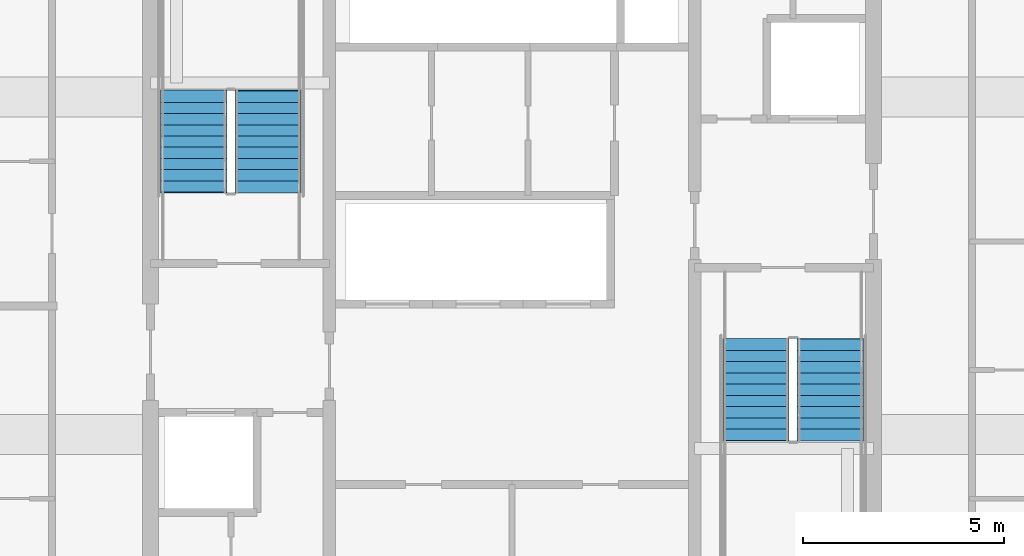
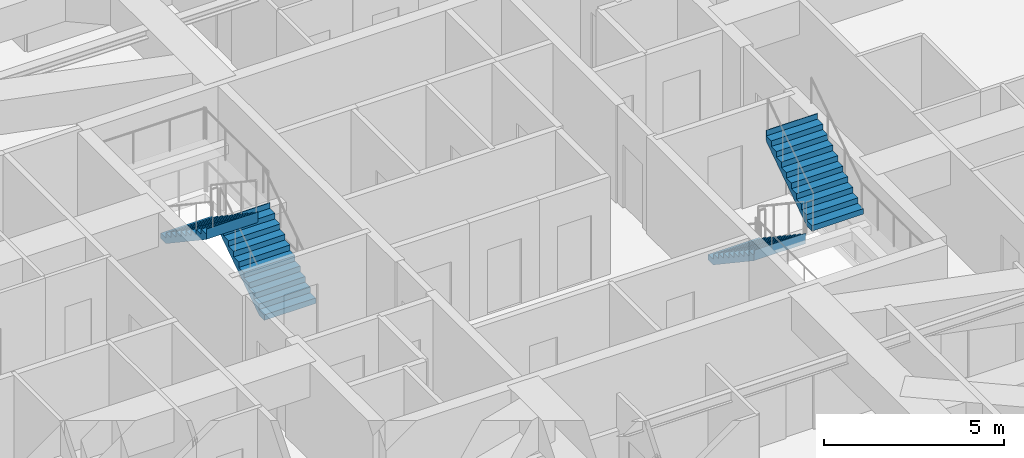
# One storey, part 28 of 32: 4 stair flights, 2 elements without a shape of their own.
"""IFC4 building model written with IfcOpenShell, lengths in metres."""

from ifc_helpers import new_model, si_unit, direction, frame, origin, place, context, subcontext, project, spatial, polygons, material, type_object, element, aggregate, save


model = new_model("IFC4")

# Units and contexts
model_context = context("Model", 3, precision=1e-05, world=origin(), true_north=direction((0.0, 1.0)))
body_context = subcontext(model_context, "Body", "Model", "MODEL_VIEW")
ifc_project = project(units=[si_unit("LENGTHUNIT", "METRE"), si_unit("AREAUNIT", "SQUARE_METRE"), si_unit("VOLUMEUNIT", "CUBIC_METRE"), si_unit("PLANEANGLEUNIT", "RADIAN"), si_unit("MASSUNIT", "GRAM", prefix="KILO")], contexts=[model_context])

# Site, building, storey
site_placement = place(None, origin())
site = spatial("IfcSite", under=ifc_project, at=site_placement, CompositionType="ELEMENT")
building_placement = place(site_placement, origin())
building = spatial("IfcBuilding", under=site, at=building_placement, Name="Serunith Strait Residences", CompositionType="ELEMENT")
storey_placement = place(building_placement, frame((0.0, 0.0, 195.14990234375)))
storey = spatial("IfcBuildingStorey", under=building, at=storey_placement, Name="L49", CompositionType="ELEMENT", Elevation=195.14990234375)

# Stair, stair flights
ifc_material = material(Name="Concrete C50/60", Category="concrete")
stair_type_1 = type_object("IfcStairType", Name="STR-CORE-1", PredefinedType="HALF_TURN_STAIR", material=ifc_material)
stair_1_placement = place(storey_placement, origin())
stair_1 = element("IfcStair", 1, at=stair_1_placement, inside=storey, type_object=stair_type_1, Name="L49 Protected Escape Stair ST-1", PredefinedType="HALF_TURN_STAIR")
stair_flight_type_1 = type_object("IfcStairFlightType", Name="FLT-CORE-1", PredefinedType="STRAIGHT", material=ifc_material)
stair_flight_1_placement = place(storey_placement, frame((26.324951171875, 27.030029296875, 0.0), z_axis=(0.0, 0.0, 1.0), x_axis=(0.0, 1.0, 0.0)))
stair_flight_1 = element("IfcStairFlight", 2, at=stair_flight_1_placement, type_object=stair_flight_type_1, Name="ST-1 flight 1", NumberOfRisers=10, NumberOfTreads=9, PredefinedType="STRAIGHT", RiserHeight=0.1875, TreadLength=0.28, context=body_context, shape_type="Tessellation", body=[
    polygons([(-0.02001953125, -0.824951171875, 0.0), (-0.02001953125, -0.824951171875, 0.1875), (0.280029296875, -0.824951171875, 0.1875), (0.280029296875, -0.824951171875, 0.375), (0.56005859375, -0.824951171875, 0.375), (0.56005859375, -0.824951171875, 0.5625), (0.840087890625, -0.824951171875, 0.5625), (0.840087890625, -0.824951171875, 0.75), (1.1201171875, -0.824951171875, 0.75), (1.1201171875, -0.824951171875, 0.9375), (1.39990234375, -0.824951171875, 0.9375), (1.39990234375, -0.824951171875, 1.125), (1.679931640625, -0.824951171875, 1.125), (1.679931640625, -0.824951171875, 1.3125), (1.9599609375, -0.824951171875, 1.3125), (1.9599609375, -0.824951171875, 1.5), (2.239990234375, -0.824951171875, 1.5), (2.239990234375, -0.824951171875, 1.6875), (2.52001953125, -0.824951171875, 1.6875), (2.52001953125, -0.824951171875, 1.875), (2.5400390625, -0.824951171875, 1.875), (2.5400390625, -0.824951171875, 1.81494140625), (2.52001953125, -0.824951171875, 1.507080078125), (0.26953125, -0.824951171875, 0.0), (-0.02001953125, -0.41259765625, 0.0), (-0.02001953125, -0.41259765625, 0.1875), (0.280029296875, -0.41259765625, 0.1875), (0.280029296875, -0.41259765625, 0.375), (0.56005859375, -0.41259765625, 0.375), (0.56005859375, -0.41259765625, 0.5625), (0.840087890625, -0.41259765625, 0.5625), (0.840087890625, -0.41259765625, 0.75), (1.1201171875, -0.41259765625, 0.75), (1.1201171875, -0.41259765625, 0.9375), (1.39990234375, -0.41259765625, 0.9375), (1.39990234375, -0.41259765625, 1.125), (1.679931640625, -0.41259765625, 1.125), (1.679931640625, -0.41259765625, 1.3125), (1.9599609375, -0.41259765625, 1.3125), (1.9599609375, -0.41259765625, 1.5), (2.239990234375, -0.41259765625, 1.5), (2.239990234375, -0.41259765625, 1.6875), (2.52001953125, -0.41259765625, 1.6875), (2.52001953125, -0.41259765625, 1.875), (2.5400390625, -0.41259765625, 1.875), (2.5400390625, -0.41259765625, 1.81494140625), (2.52001953125, -0.41259765625, 1.507080078125), (0.26953125, -0.41259765625, 0.0), (-0.02001953125, 0.0, 0.0), (-0.02001953125, 0.0, 0.1875), (0.280029296875, 0.0, 0.1875), (0.280029296875, 0.0, 0.375), (0.56005859375, 0.0, 0.375), (0.56005859375, 0.0, 0.5625), (0.840087890625, 0.0, 0.5625), (0.840087890625, 0.0, 0.75), (1.1201171875, 0.0, 0.75), (1.1201171875, 0.0, 0.9375), (1.39990234375, 0.0, 0.9375), (1.39990234375, 0.0, 1.125), (1.679931640625, 0.0, 1.125), (1.679931640625, 0.0, 1.3125), (1.9599609375, 0.0, 1.3125), (1.9599609375, 0.0, 1.5), (2.239990234375, 0.0, 1.5), (2.239990234375, 0.0, 1.6875), (2.52001953125, 0.0, 1.6875), (2.52001953125, 0.0, 1.875), (2.5400390625, 0.0, 1.875), (2.5400390625, 0.0, 1.81494140625), (2.52001953125, 0.0, 1.507080078125), (0.26953125, 0.0, 0.0), (-0.02001953125, 0.41259765625, 0.0), (-0.02001953125, 0.41259765625, 0.1875), (0.280029296875, 0.41259765625, 0.1875), (0.280029296875, 0.41259765625, 0.375), (0.56005859375, 0.41259765625, 0.375), (0.56005859375, 0.41259765625, 0.5625), (0.840087890625, 0.41259765625, 0.5625), (0.840087890625, 0.41259765625, 0.75), (1.1201171875, 0.41259765625, 0.75), (1.1201171875, 0.41259765625, 0.9375), (1.39990234375, 0.41259765625, 0.9375), (1.39990234375, 0.41259765625, 1.125), (1.679931640625, 0.41259765625, 1.125), (1.679931640625, 0.41259765625, 1.3125), (1.9599609375, 0.41259765625, 1.3125), (1.9599609375, 0.41259765625, 1.5), (2.239990234375, 0.41259765625, 1.5), (2.239990234375, 0.41259765625, 1.6875), (2.52001953125, 0.41259765625, 1.6875), (2.52001953125, 0.41259765625, 1.875), (2.5400390625, 0.41259765625, 1.875), (2.5400390625, 0.41259765625, 1.81494140625), (2.52001953125, 0.41259765625, 1.507080078125), (0.26953125, 0.41259765625, 0.0), (-0.02001953125, 0.824951171875, 0.0), (-0.02001953125, 0.824951171875, 0.1875), (0.280029296875, 0.824951171875, 0.1875), (0.280029296875, 0.824951171875, 0.375), (0.56005859375, 0.824951171875, 0.375), (0.56005859375, 0.824951171875, 0.5625), (0.840087890625, 0.824951171875, 0.5625), (0.840087890625, 0.824951171875, 0.75), (1.1201171875, 0.824951171875, 0.75), (1.1201171875, 0.824951171875, 0.9375), (1.39990234375, 0.824951171875, 0.9375), (1.39990234375, 0.824951171875, 1.125), (1.679931640625, 0.824951171875, 1.125), (1.679931640625, 0.824951171875, 1.3125), (1.9599609375, 0.824951171875, 1.3125), (1.9599609375, 0.824951171875, 1.5), (2.239990234375, 0.824951171875, 1.5), (2.239990234375, 0.824951171875, 1.6875), (2.52001953125, 0.824951171875, 1.6875), (2.52001953125, 0.824951171875, 1.875), (2.5400390625, 0.824951171875, 1.875), (2.5400390625, 0.824951171875, 1.81494140625), (2.52001953125, 0.824951171875, 1.507080078125), (0.26953125, 0.824951171875, 0.0)], [[[1, 2, 26, 25]], [[2, 3, 27, 26]], [[3, 4, 28, 27]], [[4, 5, 29, 28]], [[5, 6, 30, 29]], [[6, 7, 31, 30]], [[7, 8, 32, 31]], [[8, 9, 33, 32]], [[9, 10, 34, 33]], [[10, 11, 35, 34]], [[11, 12, 36, 35]], [[12, 13, 37, 36]], [[13, 14, 38, 37]], [[14, 15, 39, 38]], [[15, 16, 40, 39]], [[16, 17, 41, 40]], [[17, 18, 42, 41]], [[18, 19, 43, 42]], [[19, 20, 44, 43]], [[20, 21, 45, 44]], [[21, 22, 46, 45]], [[22, 23, 47, 46]], [[23, 24, 48, 47]], [[24, 1, 25, 48]], [[25, 26, 50, 49]], [[26, 27, 51, 50]], [[27, 28, 52, 51]], [[28, 29, 53, 52]], [[29, 30, 54, 53]], [[30, 31, 55, 54]], [[31, 32, 56, 55]], [[32, 33, 57, 56]], [[33, 34, 58, 57]], [[34, 35, 59, 58]], [[35, 36, 60, 59]], [[36, 37, 61, 60]], [[37, 38, 62, 61]], [[38, 39, 63, 62]], [[39, 40, 64, 63]], [[40, 41, 65, 64]], [[41, 42, 66, 65]], [[42, 43, 67, 66]], [[43, 44, 68, 67]], [[44, 45, 69, 68]], [[45, 46, 70, 69]], [[46, 47, 71, 70]], [[47, 48, 72, 71]], [[48, 25, 49, 72]], [[49, 50, 74, 73]], [[50, 51, 75, 74]], [[51, 52, 76, 75]], [[52, 53, 77, 76]], [[53, 54, 78, 77]], [[54, 55, 79, 78]], [[55, 56, 80, 79]], [[56, 57, 81, 80]], [[57, 58, 82, 81]], [[58, 59, 83, 82]], [[59, 60, 84, 83]], [[60, 61, 85, 84]], [[61, 62, 86, 85]], [[62, 63, 87, 86]], [[63, 64, 88, 87]], [[64, 65, 89, 88]], [[65, 66, 90, 89]], [[66, 67, 91, 90]], [[67, 68, 92, 91]], [[68, 69, 93, 92]], [[69, 70, 94, 93]], [[70, 71, 95, 94]], [[71, 72, 96, 95]], [[72, 49, 73, 96]], [[73, 74, 98, 97]], [[74, 75, 99, 98]], [[75, 76, 100, 99]], [[76, 77, 101, 100]], [[77, 78, 102, 101]], [[78, 79, 103, 102]], [[79, 80, 104, 103]], [[80, 81, 105, 104]], [[81, 82, 106, 105]], [[82, 83, 107, 106]], [[83, 84, 108, 107]], [[84, 85, 109, 108]], [[85, 86, 110, 109]], [[86, 87, 111, 110]], [[87, 88, 112, 111]], [[88, 89, 113, 112]], [[89, 90, 114, 113]], [[90, 91, 115, 114]], [[91, 92, 116, 115]], [[92, 93, 117, 116]], [[93, 94, 118, 117]], [[94, 95, 119, 118]], [[95, 96, 120, 119]], [[96, 73, 97, 120]], [[24, 23, 22, 21, 20, 19, 18, 17, 16, 15, 14, 13, 12, 11, 10, 9, 8, 7, 6, 5, 4, 3, 2, 1]], [[97, 98, 99, 100, 101, 102, 103, 104, 105, 106, 107, 108, 109, 110, 111, 112, 113, 114, 115, 116, 117, 118, 119, 120]]], closed=True),
])
stair_flight_2_placement = place(storey_placement, frame((24.47509765625, 29.550048828125, 1.875), z_axis=(0.0, 0.0, 1.0), x_axis=(0.0, -1.0, 0.0)))
stair_flight_2 = element("IfcStairFlight", 3, at=stair_flight_2_placement, type_object=stair_flight_type_1, Name="ST-1 flight 2", NumberOfRisers=10, NumberOfTreads=9, PredefinedType="STRAIGHT", RiserHeight=0.1875, TreadLength=0.28, context=body_context, shape_type="Tessellation", body=[
    polygons([(-0.02001953125, -0.824951171875, 0.0), (-0.02001953125, -0.824951171875, 0.1875), (0.280029296875, -0.824951171875, 0.1875), (0.280029296875, -0.824951171875, 0.375), (0.56005859375, -0.824951171875, 0.375), (0.56005859375, -0.824951171875, 0.5625), (0.840087890625, -0.824951171875, 0.5625), (0.840087890625, -0.824951171875, 0.75), (1.1201171875, -0.824951171875, 0.75), (1.1201171875, -0.824951171875, 0.9375), (1.39990234375, -0.824951171875, 0.9375), (1.39990234375, -0.824951171875, 1.125), (1.679931640625, -0.824951171875, 1.125), (1.679931640625, -0.824951171875, 1.3125), (1.9599609375, -0.824951171875, 1.3125), (1.9599609375, -0.824951171875, 1.5), (2.239990234375, -0.824951171875, 1.5), (2.239990234375, -0.824951171875, 1.6875), (2.52001953125, -0.824951171875, 1.6875), (2.52001953125, -0.824951171875, 1.875), (2.5400390625, -0.824951171875, 1.875), (2.5400390625, -0.824951171875, 1.81494140625), (2.52001953125, -0.824951171875, 1.507080078125), (0.26953125, -0.824951171875, 0.0), (-0.02001953125, -0.41259765625, 0.0), (-0.02001953125, -0.41259765625, 0.1875), (0.280029296875, -0.41259765625, 0.1875), (0.280029296875, -0.41259765625, 0.375), (0.56005859375, -0.41259765625, 0.375), (0.56005859375, -0.41259765625, 0.5625), (0.840087890625, -0.41259765625, 0.5625), (0.840087890625, -0.41259765625, 0.75), (1.1201171875, -0.41259765625, 0.75), (1.1201171875, -0.41259765625, 0.9375), (1.39990234375, -0.41259765625, 0.9375), (1.39990234375, -0.41259765625, 1.125), (1.679931640625, -0.41259765625, 1.125), (1.679931640625, -0.41259765625, 1.3125), (1.9599609375, -0.41259765625, 1.3125), (1.9599609375, -0.41259765625, 1.5), (2.239990234375, -0.41259765625, 1.5), (2.239990234375, -0.41259765625, 1.6875), (2.52001953125, -0.41259765625, 1.6875), (2.52001953125, -0.41259765625, 1.875), (2.5400390625, -0.41259765625, 1.875), (2.5400390625, -0.41259765625, 1.81494140625), (2.52001953125, -0.41259765625, 1.507080078125), (0.26953125, -0.41259765625, 0.0), (-0.02001953125, 0.0, 0.0), (-0.02001953125, 0.0, 0.1875), (0.280029296875, 0.0, 0.1875), (0.280029296875, 0.0, 0.375), (0.56005859375, 0.0, 0.375), (0.56005859375, 0.0, 0.5625), (0.840087890625, 0.0, 0.5625), (0.840087890625, 0.0, 0.75), (1.1201171875, 0.0, 0.75), (1.1201171875, 0.0, 0.9375), (1.39990234375, 0.0, 0.9375), (1.39990234375, 0.0, 1.125), (1.679931640625, 0.0, 1.125), (1.679931640625, 0.0, 1.3125), (1.9599609375, 0.0, 1.3125), (1.9599609375, 0.0, 1.5), (2.239990234375, 0.0, 1.5), (2.239990234375, 0.0, 1.6875), (2.52001953125, 0.0, 1.6875), (2.52001953125, 0.0, 1.875), (2.5400390625, 0.0, 1.875), (2.5400390625, 0.0, 1.81494140625), (2.52001953125, 0.0, 1.507080078125), (0.26953125, 0.0, 0.0), (-0.02001953125, 0.41259765625, 0.0), (-0.02001953125, 0.41259765625, 0.1875), (0.280029296875, 0.41259765625, 0.1875), (0.280029296875, 0.41259765625, 0.375), (0.56005859375, 0.41259765625, 0.375), (0.56005859375, 0.41259765625, 0.5625), (0.840087890625, 0.41259765625, 0.5625), (0.840087890625, 0.41259765625, 0.75), (1.1201171875, 0.41259765625, 0.75), (1.1201171875, 0.41259765625, 0.9375), (1.39990234375, 0.41259765625, 0.9375), (1.39990234375, 0.41259765625, 1.125), (1.679931640625, 0.41259765625, 1.125), (1.679931640625, 0.41259765625, 1.3125), (1.9599609375, 0.41259765625, 1.3125), (1.9599609375, 0.41259765625, 1.5), (2.239990234375, 0.41259765625, 1.5), (2.239990234375, 0.41259765625, 1.6875), (2.52001953125, 0.41259765625, 1.6875), (2.52001953125, 0.41259765625, 1.875), (2.5400390625, 0.41259765625, 1.875), (2.5400390625, 0.41259765625, 1.81494140625), (2.52001953125, 0.41259765625, 1.507080078125), (0.26953125, 0.41259765625, 0.0), (-0.02001953125, 0.824951171875, 0.0), (-0.02001953125, 0.824951171875, 0.1875), (0.280029296875, 0.824951171875, 0.1875), (0.280029296875, 0.824951171875, 0.375), (0.56005859375, 0.824951171875, 0.375), (0.56005859375, 0.824951171875, 0.5625), (0.840087890625, 0.824951171875, 0.5625), (0.840087890625, 0.824951171875, 0.75), (1.1201171875, 0.824951171875, 0.75), (1.1201171875, 0.824951171875, 0.9375), (1.39990234375, 0.824951171875, 0.9375), (1.39990234375, 0.824951171875, 1.125), (1.679931640625, 0.824951171875, 1.125), (1.679931640625, 0.824951171875, 1.3125), (1.9599609375, 0.824951171875, 1.3125), (1.9599609375, 0.824951171875, 1.5), (2.239990234375, 0.824951171875, 1.5), (2.239990234375, 0.824951171875, 1.6875), (2.52001953125, 0.824951171875, 1.6875), (2.52001953125, 0.824951171875, 1.875), (2.5400390625, 0.824951171875, 1.875), (2.5400390625, 0.824951171875, 1.81494140625), (2.52001953125, 0.824951171875, 1.507080078125), (0.26953125, 0.824951171875, 0.0)], [[[1, 2, 26, 25]], [[2, 3, 27, 26]], [[3, 4, 28, 27]], [[4, 5, 29, 28]], [[5, 6, 30, 29]], [[6, 7, 31, 30]], [[7, 8, 32, 31]], [[8, 9, 33, 32]], [[9, 10, 34, 33]], [[10, 11, 35, 34]], [[11, 12, 36, 35]], [[12, 13, 37, 36]], [[13, 14, 38, 37]], [[14, 15, 39, 38]], [[15, 16, 40, 39]], [[16, 17, 41, 40]], [[17, 18, 42, 41]], [[18, 19, 43, 42]], [[19, 20, 44, 43]], [[20, 21, 45, 44]], [[21, 22, 46, 45]], [[22, 23, 47, 46]], [[23, 24, 48, 47]], [[24, 1, 25, 48]], [[25, 26, 50, 49]], [[26, 27, 51, 50]], [[27, 28, 52, 51]], [[28, 29, 53, 52]], [[29, 30, 54, 53]], [[30, 31, 55, 54]], [[31, 32, 56, 55]], [[32, 33, 57, 56]], [[33, 34, 58, 57]], [[34, 35, 59, 58]], [[35, 36, 60, 59]], [[36, 37, 61, 60]], [[37, 38, 62, 61]], [[38, 39, 63, 62]], [[39, 40, 64, 63]], [[40, 41, 65, 64]], [[41, 42, 66, 65]], [[42, 43, 67, 66]], [[43, 44, 68, 67]], [[44, 45, 69, 68]], [[45, 46, 70, 69]], [[46, 47, 71, 70]], [[47, 48, 72, 71]], [[48, 25, 49, 72]], [[49, 50, 74, 73]], [[50, 51, 75, 74]], [[51, 52, 76, 75]], [[52, 53, 77, 76]], [[53, 54, 78, 77]], [[54, 55, 79, 78]], [[55, 56, 80, 79]], [[56, 57, 81, 80]], [[57, 58, 82, 81]], [[58, 59, 83, 82]], [[59, 60, 84, 83]], [[60, 61, 85, 84]], [[61, 62, 86, 85]], [[62, 63, 87, 86]], [[63, 64, 88, 87]], [[64, 65, 89, 88]], [[65, 66, 90, 89]], [[66, 67, 91, 90]], [[67, 68, 92, 91]], [[68, 69, 93, 92]], [[69, 70, 94, 93]], [[70, 71, 95, 94]], [[71, 72, 96, 95]], [[72, 49, 73, 96]], [[73, 74, 98, 97]], [[74, 75, 99, 98]], [[75, 76, 100, 99]], [[76, 77, 101, 100]], [[77, 78, 102, 101]], [[78, 79, 103, 102]], [[79, 80, 104, 103]], [[80, 81, 105, 104]], [[81, 82, 106, 105]], [[82, 83, 107, 106]], [[83, 84, 108, 107]], [[84, 85, 109, 108]], [[85, 86, 110, 109]], [[86, 87, 111, 110]], [[87, 88, 112, 111]], [[88, 89, 113, 112]], [[89, 90, 114, 113]], [[90, 91, 115, 114]], [[91, 92, 116, 115]], [[92, 93, 117, 116]], [[93, 94, 118, 117]], [[94, 95, 119, 118]], [[95, 96, 120, 119]], [[96, 73, 97, 120]], [[24, 23, 22, 21, 20, 19, 18, 17, 16, 15, 14, 13, 12, 11, 10, 9, 8, 7, 6, 5, 4, 3, 2, 1]], [[97, 98, 99, 100, 101, 102, 103, 104, 105, 106, 107, 108, 109, 110, 111, 112, 113, 114, 115, 116, 117, 118, 119, 120]]], closed=True),
])
aggregate(stair_1, [stair_flight_1, stair_flight_2])

stair_type_2 = type_object("IfcStairType", Name="STR-CORE-2", PredefinedType="HALF_TURN_STAIR", material=ifc_material)
stair_2_placement = place(storey_placement, origin())
stair_2 = element("IfcStair", 4, at=stair_2_placement, inside=storey, type_object=stair_type_2, Name="L49 Protected Escape Stair ST-2", PredefinedType="HALF_TURN_STAIR")
stair_flight_type_2 = type_object("IfcStairFlightType", Name="FLT-CORE-2", PredefinedType="STRAIGHT", material=ifc_material)
stair_flight_3_placement = place(storey_placement, frame((38.47509765625, 23.3701171875, 0.0), z_axis=(0.0, 0.0, 1.0), x_axis=(0.0, -1.0, 0.0)))
stair_flight_3 = element("IfcStairFlight", 5, at=stair_flight_3_placement, type_object=stair_flight_type_2, Name="ST-2 flight 1", NumberOfRisers=10, NumberOfTreads=9, PredefinedType="STRAIGHT", RiserHeight=0.1875, TreadLength=0.28, context=body_context, shape_type="Tessellation", body=[
    polygons([(-0.02001953125, -0.824951171875, 0.0), (-0.02001953125, -0.824951171875, 0.1875), (0.280029296875, -0.824951171875, 0.1875), (0.280029296875, -0.824951171875, 0.375), (0.56005859375, -0.824951171875, 0.375), (0.56005859375, -0.824951171875, 0.5625), (0.840087890625, -0.824951171875, 0.5625), (0.840087890625, -0.824951171875, 0.75), (1.1201171875, -0.824951171875, 0.75), (1.1201171875, -0.824951171875, 0.9375), (1.39990234375, -0.824951171875, 0.9375), (1.39990234375, -0.824951171875, 1.125), (1.679931640625, -0.824951171875, 1.125), (1.679931640625, -0.824951171875, 1.3125), (1.9599609375, -0.824951171875, 1.3125), (1.9599609375, -0.824951171875, 1.5), (2.239990234375, -0.824951171875, 1.5), (2.239990234375, -0.824951171875, 1.6875), (2.52001953125, -0.824951171875, 1.6875), (2.52001953125, -0.824951171875, 1.875), (2.5400390625, -0.824951171875, 1.875), (2.5400390625, -0.824951171875, 1.81494140625), (2.52001953125, -0.824951171875, 1.507080078125), (0.26953125, -0.824951171875, 0.0), (-0.02001953125, -0.41259765625, 0.0), (-0.02001953125, -0.41259765625, 0.1875), (0.280029296875, -0.41259765625, 0.1875), (0.280029296875, -0.41259765625, 0.375), (0.56005859375, -0.41259765625, 0.375), (0.56005859375, -0.41259765625, 0.5625), (0.840087890625, -0.41259765625, 0.5625), (0.840087890625, -0.41259765625, 0.75), (1.1201171875, -0.41259765625, 0.75), (1.1201171875, -0.41259765625, 0.9375), (1.39990234375, -0.41259765625, 0.9375), (1.39990234375, -0.41259765625, 1.125), (1.679931640625, -0.41259765625, 1.125), (1.679931640625, -0.41259765625, 1.3125), (1.9599609375, -0.41259765625, 1.3125), (1.9599609375, -0.41259765625, 1.5), (2.239990234375, -0.41259765625, 1.5), (2.239990234375, -0.41259765625, 1.6875), (2.52001953125, -0.41259765625, 1.6875), (2.52001953125, -0.41259765625, 1.875), (2.5400390625, -0.41259765625, 1.875), (2.5400390625, -0.41259765625, 1.81494140625), (2.52001953125, -0.41259765625, 1.507080078125), (0.26953125, -0.41259765625, 0.0), (-0.02001953125, 0.0, 0.0), (-0.02001953125, 0.0, 0.1875), (0.280029296875, 0.0, 0.1875), (0.280029296875, 0.0, 0.375), (0.56005859375, 0.0, 0.375), (0.56005859375, 0.0, 0.5625), (0.840087890625, 0.0, 0.5625), (0.840087890625, 0.0, 0.75), (1.1201171875, 0.0, 0.75), (1.1201171875, 0.0, 0.9375), (1.39990234375, 0.0, 0.9375), (1.39990234375, 0.0, 1.125), (1.679931640625, 0.0, 1.125), (1.679931640625, 0.0, 1.3125), (1.9599609375, 0.0, 1.3125), (1.9599609375, 0.0, 1.5), (2.239990234375, 0.0, 1.5), (2.239990234375, 0.0, 1.6875), (2.52001953125, 0.0, 1.6875), (2.52001953125, 0.0, 1.875), (2.5400390625, 0.0, 1.875), (2.5400390625, 0.0, 1.81494140625), (2.52001953125, 0.0, 1.507080078125), (0.26953125, 0.0, 0.0), (-0.02001953125, 0.41259765625, 0.0), (-0.02001953125, 0.41259765625, 0.1875), (0.280029296875, 0.41259765625, 0.1875), (0.280029296875, 0.41259765625, 0.375), (0.56005859375, 0.41259765625, 0.375), (0.56005859375, 0.41259765625, 0.5625), (0.840087890625, 0.41259765625, 0.5625), (0.840087890625, 0.41259765625, 0.75), (1.1201171875, 0.41259765625, 0.75), (1.1201171875, 0.41259765625, 0.9375), (1.39990234375, 0.41259765625, 0.9375), (1.39990234375, 0.41259765625, 1.125), (1.679931640625, 0.41259765625, 1.125), (1.679931640625, 0.41259765625, 1.3125), (1.9599609375, 0.41259765625, 1.3125), (1.9599609375, 0.41259765625, 1.5), (2.239990234375, 0.41259765625, 1.5), (2.239990234375, 0.41259765625, 1.6875), (2.52001953125, 0.41259765625, 1.6875), (2.52001953125, 0.41259765625, 1.875), (2.5400390625, 0.41259765625, 1.875), (2.5400390625, 0.41259765625, 1.81494140625), (2.52001953125, 0.41259765625, 1.507080078125), (0.26953125, 0.41259765625, 0.0), (-0.02001953125, 0.824951171875, 0.0), (-0.02001953125, 0.824951171875, 0.1875), (0.280029296875, 0.824951171875, 0.1875), (0.280029296875, 0.824951171875, 0.375), (0.56005859375, 0.824951171875, 0.375), (0.56005859375, 0.824951171875, 0.5625), (0.840087890625, 0.824951171875, 0.5625), (0.840087890625, 0.824951171875, 0.75), (1.1201171875, 0.824951171875, 0.75), (1.1201171875, 0.824951171875, 0.9375), (1.39990234375, 0.824951171875, 0.9375), (1.39990234375, 0.824951171875, 1.125), (1.679931640625, 0.824951171875, 1.125), (1.679931640625, 0.824951171875, 1.3125), (1.9599609375, 0.824951171875, 1.3125), (1.9599609375, 0.824951171875, 1.5), (2.239990234375, 0.824951171875, 1.5), (2.239990234375, 0.824951171875, 1.6875), (2.52001953125, 0.824951171875, 1.6875), (2.52001953125, 0.824951171875, 1.875), (2.5400390625, 0.824951171875, 1.875), (2.5400390625, 0.824951171875, 1.81494140625), (2.52001953125, 0.824951171875, 1.507080078125), (0.26953125, 0.824951171875, 0.0)], [[[1, 2, 26, 25]], [[2, 3, 27, 26]], [[3, 4, 28, 27]], [[4, 5, 29, 28]], [[5, 6, 30, 29]], [[6, 7, 31, 30]], [[7, 8, 32, 31]], [[8, 9, 33, 32]], [[9, 10, 34, 33]], [[10, 11, 35, 34]], [[11, 12, 36, 35]], [[12, 13, 37, 36]], [[13, 14, 38, 37]], [[14, 15, 39, 38]], [[15, 16, 40, 39]], [[16, 17, 41, 40]], [[17, 18, 42, 41]], [[18, 19, 43, 42]], [[19, 20, 44, 43]], [[20, 21, 45, 44]], [[21, 22, 46, 45]], [[22, 23, 47, 46]], [[23, 24, 48, 47]], [[24, 1, 25, 48]], [[25, 26, 50, 49]], [[26, 27, 51, 50]], [[27, 28, 52, 51]], [[28, 29, 53, 52]], [[29, 30, 54, 53]], [[30, 31, 55, 54]], [[31, 32, 56, 55]], [[32, 33, 57, 56]], [[33, 34, 58, 57]], [[34, 35, 59, 58]], [[35, 36, 60, 59]], [[36, 37, 61, 60]], [[37, 38, 62, 61]], [[38, 39, 63, 62]], [[39, 40, 64, 63]], [[40, 41, 65, 64]], [[41, 42, 66, 65]], [[42, 43, 67, 66]], [[43, 44, 68, 67]], [[44, 45, 69, 68]], [[45, 46, 70, 69]], [[46, 47, 71, 70]], [[47, 48, 72, 71]], [[48, 25, 49, 72]], [[49, 50, 74, 73]], [[50, 51, 75, 74]], [[51, 52, 76, 75]], [[52, 53, 77, 76]], [[53, 54, 78, 77]], [[54, 55, 79, 78]], [[55, 56, 80, 79]], [[56, 57, 81, 80]], [[57, 58, 82, 81]], [[58, 59, 83, 82]], [[59, 60, 84, 83]], [[60, 61, 85, 84]], [[61, 62, 86, 85]], [[62, 63, 87, 86]], [[63, 64, 88, 87]], [[64, 65, 89, 88]], [[65, 66, 90, 89]], [[66, 67, 91, 90]], [[67, 68, 92, 91]], [[68, 69, 93, 92]], [[69, 70, 94, 93]], [[70, 71, 95, 94]], [[71, 72, 96, 95]], [[72, 49, 73, 96]], [[73, 74, 98, 97]], [[74, 75, 99, 98]], [[75, 76, 100, 99]], [[76, 77, 101, 100]], [[77, 78, 102, 101]], [[78, 79, 103, 102]], [[79, 80, 104, 103]], [[80, 81, 105, 104]], [[81, 82, 106, 105]], [[82, 83, 107, 106]], [[83, 84, 108, 107]], [[84, 85, 109, 108]], [[85, 86, 110, 109]], [[86, 87, 111, 110]], [[87, 88, 112, 111]], [[88, 89, 113, 112]], [[89, 90, 114, 113]], [[90, 91, 115, 114]], [[91, 92, 116, 115]], [[92, 93, 117, 116]], [[93, 94, 118, 117]], [[94, 95, 119, 118]], [[95, 96, 120, 119]], [[96, 73, 97, 120]], [[24, 23, 22, 21, 20, 19, 18, 17, 16, 15, 14, 13, 12, 11, 10, 9, 8, 7, 6, 5, 4, 3, 2, 1]], [[97, 98, 99, 100, 101, 102, 103, 104, 105, 106, 107, 108, 109, 110, 111, 112, 113, 114, 115, 116, 117, 118, 119, 120]]], closed=True),
])
stair_flight_4_placement = place(storey_placement, frame((40.324951171875, 20.85009765625, 1.875), z_axis=(0.0, 0.0, 1.0), x_axis=(0.0, 1.0, 0.0)))
stair_flight_4 = element("IfcStairFlight", 6, at=stair_flight_4_placement, type_object=stair_flight_type_2, Name="ST-2 flight 2", NumberOfRisers=10, NumberOfTreads=9, PredefinedType="STRAIGHT", RiserHeight=0.1875, TreadLength=0.28, context=body_context, shape_type="Tessellation", body=[
    polygons([(-0.02001953125, -0.824951171875, 0.0), (-0.02001953125, -0.824951171875, 0.1875), (0.280029296875, -0.824951171875, 0.1875), (0.280029296875, -0.824951171875, 0.375), (0.56005859375, -0.824951171875, 0.375), (0.56005859375, -0.824951171875, 0.5625), (0.840087890625, -0.824951171875, 0.5625), (0.840087890625, -0.824951171875, 0.75), (1.1201171875, -0.824951171875, 0.75), (1.1201171875, -0.824951171875, 0.9375), (1.39990234375, -0.824951171875, 0.9375), (1.39990234375, -0.824951171875, 1.125), (1.679931640625, -0.824951171875, 1.125), (1.679931640625, -0.824951171875, 1.3125), (1.9599609375, -0.824951171875, 1.3125), (1.9599609375, -0.824951171875, 1.5), (2.239990234375, -0.824951171875, 1.5), (2.239990234375, -0.824951171875, 1.6875), (2.52001953125, -0.824951171875, 1.6875), (2.52001953125, -0.824951171875, 1.875), (2.5400390625, -0.824951171875, 1.875), (2.5400390625, -0.824951171875, 1.81494140625), (2.52001953125, -0.824951171875, 1.507080078125), (0.26953125, -0.824951171875, 0.0), (-0.02001953125, -0.41259765625, 0.0), (-0.02001953125, -0.41259765625, 0.1875), (0.280029296875, -0.41259765625, 0.1875), (0.280029296875, -0.41259765625, 0.375), (0.56005859375, -0.41259765625, 0.375), (0.56005859375, -0.41259765625, 0.5625), (0.840087890625, -0.41259765625, 0.5625), (0.840087890625, -0.41259765625, 0.75), (1.1201171875, -0.41259765625, 0.75), (1.1201171875, -0.41259765625, 0.9375), (1.39990234375, -0.41259765625, 0.9375), (1.39990234375, -0.41259765625, 1.125), (1.679931640625, -0.41259765625, 1.125), (1.679931640625, -0.41259765625, 1.3125), (1.9599609375, -0.41259765625, 1.3125), (1.9599609375, -0.41259765625, 1.5), (2.239990234375, -0.41259765625, 1.5), (2.239990234375, -0.41259765625, 1.6875), (2.52001953125, -0.41259765625, 1.6875), (2.52001953125, -0.41259765625, 1.875), (2.5400390625, -0.41259765625, 1.875), (2.5400390625, -0.41259765625, 1.81494140625), (2.52001953125, -0.41259765625, 1.507080078125), (0.26953125, -0.41259765625, 0.0), (-0.02001953125, 0.0, 0.0), (-0.02001953125, 0.0, 0.1875), (0.280029296875, 0.0, 0.1875), (0.280029296875, 0.0, 0.375), (0.56005859375, 0.0, 0.375), (0.56005859375, 0.0, 0.5625), (0.840087890625, 0.0, 0.5625), (0.840087890625, 0.0, 0.75), (1.1201171875, 0.0, 0.75), (1.1201171875, 0.0, 0.9375), (1.39990234375, 0.0, 0.9375), (1.39990234375, 0.0, 1.125), (1.679931640625, 0.0, 1.125), (1.679931640625, 0.0, 1.3125), (1.9599609375, 0.0, 1.3125), (1.9599609375, 0.0, 1.5), (2.239990234375, 0.0, 1.5), (2.239990234375, 0.0, 1.6875), (2.52001953125, 0.0, 1.6875), (2.52001953125, 0.0, 1.875), (2.5400390625, 0.0, 1.875), (2.5400390625, 0.0, 1.81494140625), (2.52001953125, 0.0, 1.507080078125), (0.26953125, 0.0, 0.0), (-0.02001953125, 0.41259765625, 0.0), (-0.02001953125, 0.41259765625, 0.1875), (0.280029296875, 0.41259765625, 0.1875), (0.280029296875, 0.41259765625, 0.375), (0.56005859375, 0.41259765625, 0.375), (0.56005859375, 0.41259765625, 0.5625), (0.840087890625, 0.41259765625, 0.5625), (0.840087890625, 0.41259765625, 0.75), (1.1201171875, 0.41259765625, 0.75), (1.1201171875, 0.41259765625, 0.9375), (1.39990234375, 0.41259765625, 0.9375), (1.39990234375, 0.41259765625, 1.125), (1.679931640625, 0.41259765625, 1.125), (1.679931640625, 0.41259765625, 1.3125), (1.9599609375, 0.41259765625, 1.3125), (1.9599609375, 0.41259765625, 1.5), (2.239990234375, 0.41259765625, 1.5), (2.239990234375, 0.41259765625, 1.6875), (2.52001953125, 0.41259765625, 1.6875), (2.52001953125, 0.41259765625, 1.875), (2.5400390625, 0.41259765625, 1.875), (2.5400390625, 0.41259765625, 1.81494140625), (2.52001953125, 0.41259765625, 1.507080078125), (0.26953125, 0.41259765625, 0.0), (-0.02001953125, 0.824951171875, 0.0), (-0.02001953125, 0.824951171875, 0.1875), (0.280029296875, 0.824951171875, 0.1875), (0.280029296875, 0.824951171875, 0.375), (0.56005859375, 0.824951171875, 0.375), (0.56005859375, 0.824951171875, 0.5625), (0.840087890625, 0.824951171875, 0.5625), (0.840087890625, 0.824951171875, 0.75), (1.1201171875, 0.824951171875, 0.75), (1.1201171875, 0.824951171875, 0.9375), (1.39990234375, 0.824951171875, 0.9375), (1.39990234375, 0.824951171875, 1.125), (1.679931640625, 0.824951171875, 1.125), (1.679931640625, 0.824951171875, 1.3125), (1.9599609375, 0.824951171875, 1.3125), (1.9599609375, 0.824951171875, 1.5), (2.239990234375, 0.824951171875, 1.5), (2.239990234375, 0.824951171875, 1.6875), (2.52001953125, 0.824951171875, 1.6875), (2.52001953125, 0.824951171875, 1.875), (2.5400390625, 0.824951171875, 1.875), (2.5400390625, 0.824951171875, 1.81494140625), (2.52001953125, 0.824951171875, 1.507080078125), (0.26953125, 0.824951171875, 0.0)], [[[1, 2, 26, 25]], [[2, 3, 27, 26]], [[3, 4, 28, 27]], [[4, 5, 29, 28]], [[5, 6, 30, 29]], [[6, 7, 31, 30]], [[7, 8, 32, 31]], [[8, 9, 33, 32]], [[9, 10, 34, 33]], [[10, 11, 35, 34]], [[11, 12, 36, 35]], [[12, 13, 37, 36]], [[13, 14, 38, 37]], [[14, 15, 39, 38]], [[15, 16, 40, 39]], [[16, 17, 41, 40]], [[17, 18, 42, 41]], [[18, 19, 43, 42]], [[19, 20, 44, 43]], [[20, 21, 45, 44]], [[21, 22, 46, 45]], [[22, 23, 47, 46]], [[23, 24, 48, 47]], [[24, 1, 25, 48]], [[25, 26, 50, 49]], [[26, 27, 51, 50]], [[27, 28, 52, 51]], [[28, 29, 53, 52]], [[29, 30, 54, 53]], [[30, 31, 55, 54]], [[31, 32, 56, 55]], [[32, 33, 57, 56]], [[33, 34, 58, 57]], [[34, 35, 59, 58]], [[35, 36, 60, 59]], [[36, 37, 61, 60]], [[37, 38, 62, 61]], [[38, 39, 63, 62]], [[39, 40, 64, 63]], [[40, 41, 65, 64]], [[41, 42, 66, 65]], [[42, 43, 67, 66]], [[43, 44, 68, 67]], [[44, 45, 69, 68]], [[45, 46, 70, 69]], [[46, 47, 71, 70]], [[47, 48, 72, 71]], [[48, 25, 49, 72]], [[49, 50, 74, 73]], [[50, 51, 75, 74]], [[51, 52, 76, 75]], [[52, 53, 77, 76]], [[53, 54, 78, 77]], [[54, 55, 79, 78]], [[55, 56, 80, 79]], [[56, 57, 81, 80]], [[57, 58, 82, 81]], [[58, 59, 83, 82]], [[59, 60, 84, 83]], [[60, 61, 85, 84]], [[61, 62, 86, 85]], [[62, 63, 87, 86]], [[63, 64, 88, 87]], [[64, 65, 89, 88]], [[65, 66, 90, 89]], [[66, 67, 91, 90]], [[67, 68, 92, 91]], [[68, 69, 93, 92]], [[69, 70, 94, 93]], [[70, 71, 95, 94]], [[71, 72, 96, 95]], [[72, 49, 73, 96]], [[73, 74, 98, 97]], [[74, 75, 99, 98]], [[75, 76, 100, 99]], [[76, 77, 101, 100]], [[77, 78, 102, 101]], [[78, 79, 103, 102]], [[79, 80, 104, 103]], [[80, 81, 105, 104]], [[81, 82, 106, 105]], [[82, 83, 107, 106]], [[83, 84, 108, 107]], [[84, 85, 109, 108]], [[85, 86, 110, 109]], [[86, 87, 111, 110]], [[87, 88, 112, 111]], [[88, 89, 113, 112]], [[89, 90, 114, 113]], [[90, 91, 115, 114]], [[91, 92, 116, 115]], [[92, 93, 117, 116]], [[93, 94, 118, 117]], [[94, 95, 119, 118]], [[95, 96, 120, 119]], [[96, 73, 97, 120]], [[24, 23, 22, 21, 20, 19, 18, 17, 16, 15, 14, 13, 12, 11, 10, 9, 8, 7, 6, 5, 4, 3, 2, 1]], [[97, 98, 99, 100, 101, 102, 103, 104, 105, 106, 107, 108, 109, 110, 111, 112, 113, 114, 115, 116, 117, 118, 119, 120]]], closed=True),
])
aggregate(stair_2, [stair_flight_3, stair_flight_4])

save(model, "model.ifc")
